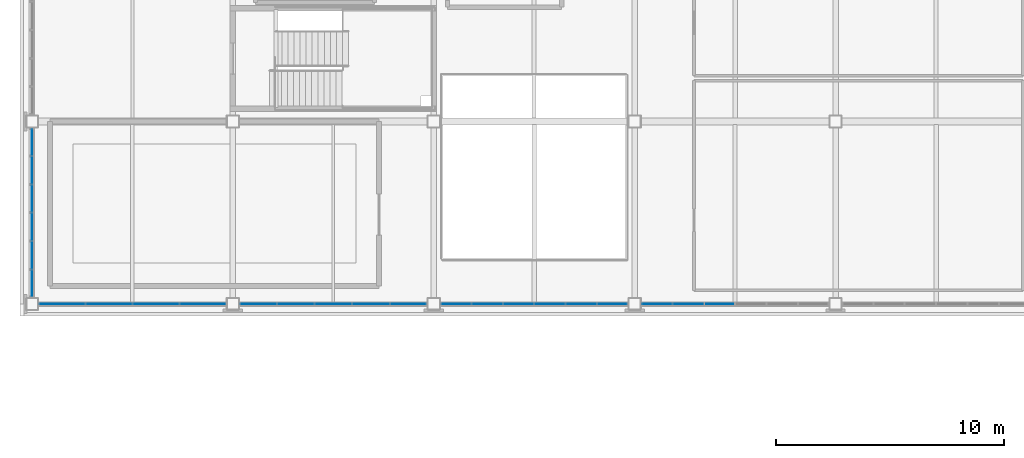
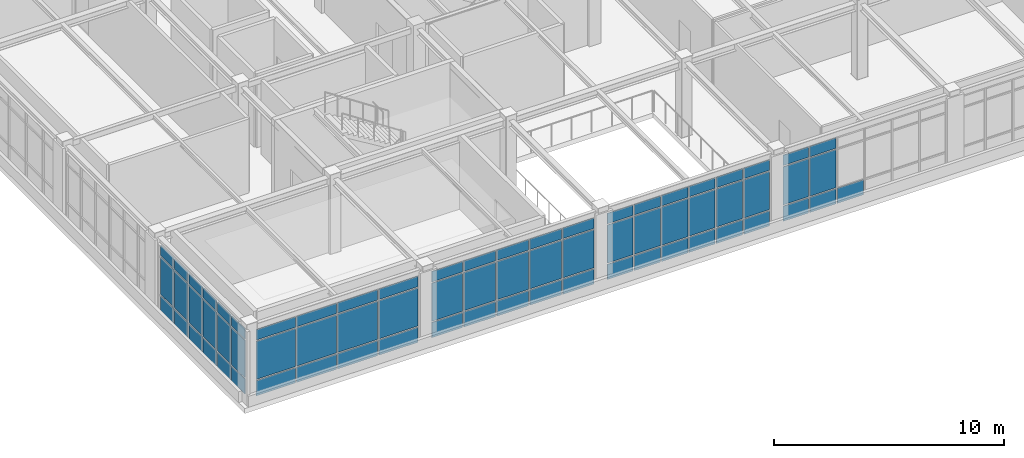
# One storey, part 38 of 88: 70 plates, 5 elements without a shape of their own.
"""IFC4 building model written with IfcOpenShell, lengths in metres."""

from ifc_helpers import new_model, si_unit, direction, frame, origin, origin_2d, place, context, subcontext, project, spatial, rectangle, extrude, material, layer, layer_set, type_object, element, aggregate, save


model = new_model("IFC4")

# Units and contexts
model_context = context("Model", 3, precision=1e-05, world=origin(), true_north=direction((0.0, 1.0)))
body_context = subcontext(model_context, "Body", "Model", "MODEL_VIEW")
ifc_project = project(units=[si_unit("LENGTHUNIT", "METRE"), si_unit("AREAUNIT", "SQUARE_METRE"), si_unit("VOLUMEUNIT", "CUBIC_METRE"), si_unit("PLANEANGLEUNIT", "RADIAN"), si_unit("MASSUNIT", "GRAM", prefix="KILO")], contexts=[model_context])

# Site, building, storey
site_placement = place(None, origin())
site = spatial("IfcSite", under=ifc_project, at=site_placement, CompositionType="ELEMENT")
building_placement = place(site_placement, origin())
building = spatial("IfcBuilding", under=site, at=building_placement, Name="Zhaolan Boulevard Law Courts", CompositionType="ELEMENT")
storey_placement = place(building_placement, frame((0.0, 0.0, 16.199951171875)))
storey = spatial("IfcBuildingStorey", under=building, at=storey_placement, Name="L03", CompositionType="ELEMENT", Elevation=16.199951171875)

# Curtain wall, plates
ifc_material_1 = material(Name="Thermally broken aluminium and low-E glazing", Category="aluminium")
curtain_wall_type_1 = type_object("IfcCurtainWallType", Name="CURTAIN WALL M24", PredefinedType="USERDEFINED", material=ifc_material_1)
curtain_wall_1_placement = place(storey_placement, origin())
curtain_wall_1 = element("IfcCurtainWall", 1, at=curtain_wall_1_placement, inside=storey, type_object=curtain_wall_type_1, Name="Curtain Wall CW-L03-168", ObjectType="CURTAIN WALL", PredefinedType="USERDEFINED")
ifc_material_2 = material(Name="Triple-silver low-E insulated glazing", Category="glass")
ifc_layer = layer(ifc_material_2, 0.028076171875)
ifc_layer_set = layer_set([ifc_layer])
plate_type = type_object("IfcPlateType", Name="CWPANEL LOW E28", PredefinedType="CURTAIN_PANEL", material=ifc_layer_set)
plate_1_placement = place(storey_placement, frame((1.323974609375, 30.0, 0.06494140625), z_axis=(0.0, 0.0, 1.0), x_axis=(1.0, 0.0, 0.0)))
plate_1 = element("IfcPlate", 2, at=plate_1_placement, type_object=plate_type, Name="CW-L03-168 panel 1.1", PredefinedType="CURTAIN_PANEL", context=body_context, shape_type="SweptSolid", body=[
    extrude(rectangle(XDim=1.964111328125, YDim=0.028076171875, at=origin_2d()), origin(), (0.0, 0.0, 1.0), 0.802490234375),
])
plate_2_placement = place(storey_placement, frame((1.323974609375, 30.0, 0.9326171875), z_axis=(0.0, 0.0, 1.0), x_axis=(1.0, 0.0, 0.0)))
plate_2 = element("IfcPlate", 3, at=plate_2_placement, type_object=plate_type, Name="CW-L03-168 panel 1.2", PredefinedType="CURTAIN_PANEL", context=body_context, shape_type="SweptSolid", body=[
    extrude(rectangle(XDim=1.964111328125, YDim=0.028076171875, at=origin_2d()), origin(), (0.0, 0.0, 1.0), 2.01806640625),
])
plate_3_placement = place(storey_placement, frame((1.323974609375, 30.0, 3.015625), z_axis=(0.0, 0.0, 1.0), x_axis=(1.0, 0.0, 0.0)))
plate_3 = element("IfcPlate", 4, at=plate_3_placement, type_object=plate_type, Name="CW-L03-168 panel 1.3", PredefinedType="CURTAIN_PANEL", context=body_context, shape_type="SweptSolid", body=[
    extrude(rectangle(XDim=1.964111328125, YDim=0.028076171875, at=origin_2d()), origin(), (0.0, 0.0, 1.0), 0.552490234375),
])
plate_4_placement = place(storey_placement, frame((3.369140625, 30.0, 0.06494140625), z_axis=(0.0, 0.0, 1.0), x_axis=(1.0, 0.0, 0.0)))
plate_4 = element("IfcPlate", 5, at=plate_4_placement, type_object=plate_type, Name="CW-L03-168 panel 2.1", PredefinedType="CURTAIN_PANEL", context=body_context, shape_type="SweptSolid", body=[
    extrude(rectangle(XDim=1.99658203125, YDim=0.028076171875, at=origin_2d()), origin(), (0.0, 0.0, 1.0), 0.802490234375),
])
plate_5_placement = place(storey_placement, frame((3.369140625, 30.0, 0.9326171875), z_axis=(0.0, 0.0, 1.0), x_axis=(1.0, 0.0, 0.0)))
plate_5 = element("IfcPlate", 6, at=plate_5_placement, type_object=plate_type, Name="CW-L03-168 panel 2.2", PredefinedType="CURTAIN_PANEL", context=body_context, shape_type="SweptSolid", body=[
    extrude(rectangle(XDim=1.99658203125, YDim=0.028076171875, at=origin_2d()), origin(), (0.0, 0.0, 1.0), 2.01806640625),
])
plate_6_placement = place(storey_placement, frame((3.369140625, 30.0, 3.015625), z_axis=(0.0, 0.0, 1.0), x_axis=(1.0, 0.0, 0.0)))
plate_6 = element("IfcPlate", 7, at=plate_6_placement, type_object=plate_type, Name="CW-L03-168 panel 2.3", PredefinedType="CURTAIN_PANEL", context=body_context, shape_type="SweptSolid", body=[
    extrude(rectangle(XDim=1.99658203125, YDim=0.028076171875, at=origin_2d()), origin(), (0.0, 0.0, 1.0), 0.552490234375),
])
plate_7_placement = place(storey_placement, frame((5.4306640625, 30.0, 0.06494140625), z_axis=(0.0, 0.0, 1.0), x_axis=(1.0, 0.0, 0.0)))
plate_7 = element("IfcPlate", 8, at=plate_7_placement, type_object=plate_type, Name="CW-L03-168 panel 3.1", PredefinedType="CURTAIN_PANEL", context=body_context, shape_type="SweptSolid", body=[
    extrude(rectangle(XDim=1.99658203125, YDim=0.028076171875, at=origin_2d()), origin(), (0.0, 0.0, 1.0), 0.802490234375),
])
plate_8_placement = place(storey_placement, frame((5.4306640625, 30.0, 0.9326171875), z_axis=(0.0, 0.0, 1.0), x_axis=(1.0, 0.0, 0.0)))
plate_8 = element("IfcPlate", 9, at=plate_8_placement, type_object=plate_type, Name="CW-L03-168 panel 3.2", PredefinedType="CURTAIN_PANEL", context=body_context, shape_type="SweptSolid", body=[
    extrude(rectangle(XDim=1.99658203125, YDim=0.028076171875, at=origin_2d()), origin(), (0.0, 0.0, 1.0), 2.01806640625),
])
plate_9_placement = place(storey_placement, frame((5.4306640625, 30.0, 3.015625), z_axis=(0.0, 0.0, 1.0), x_axis=(1.0, 0.0, 0.0)))
plate_9 = element("IfcPlate", 10, at=plate_9_placement, type_object=plate_type, Name="CW-L03-168 panel 3.3", PredefinedType="CURTAIN_PANEL", context=body_context, shape_type="SweptSolid", body=[
    extrude(rectangle(XDim=1.99658203125, YDim=0.028076171875, at=origin_2d()), origin(), (0.0, 0.0, 1.0), 0.552490234375),
])
plate_10_placement = place(storey_placement, frame((7.47607421875, 30.0, 0.06494140625), z_axis=(0.0, 0.0, 1.0), x_axis=(1.0, 0.0, 0.0)))
plate_10 = element("IfcPlate", 11, at=plate_10_placement, type_object=plate_type, Name="CW-L03-168 panel 4.1", PredefinedType="CURTAIN_PANEL", context=body_context, shape_type="SweptSolid", body=[
    extrude(rectangle(XDim=1.964111328125, YDim=0.028076171875, at=origin_2d()), origin(), (0.0, 0.0, 1.0), 0.802490234375),
])
plate_11_placement = place(storey_placement, frame((7.47607421875, 30.0, 0.9326171875), z_axis=(0.0, 0.0, 1.0), x_axis=(1.0, 0.0, 0.0)))
plate_11 = element("IfcPlate", 12, at=plate_11_placement, type_object=plate_type, Name="CW-L03-168 panel 4.2", PredefinedType="CURTAIN_PANEL", context=body_context, shape_type="SweptSolid", body=[
    extrude(rectangle(XDim=1.964111328125, YDim=0.028076171875, at=origin_2d()), origin(), (0.0, 0.0, 1.0), 2.01806640625),
])
plate_12_placement = place(storey_placement, frame((7.47607421875, 30.0, 3.015625), z_axis=(0.0, 0.0, 1.0), x_axis=(1.0, 0.0, 0.0)))
plate_12 = element("IfcPlate", 13, at=plate_12_placement, type_object=plate_type, Name="CW-L03-168 panel 4.3", PredefinedType="CURTAIN_PANEL", context=body_context, shape_type="SweptSolid", body=[
    extrude(rectangle(XDim=1.964111328125, YDim=0.028076171875, at=origin_2d()), origin(), (0.0, 0.0, 1.0), 0.552490234375),
])
aggregate(curtain_wall_1, [plate_1, plate_2, plate_3, plate_4, plate_5, plate_6, plate_7, plate_8, plate_9, plate_10, plate_11, plate_12])

ifc_material_3 = material(Name="Thermally broken aluminium and low-E glazing", Category="aluminium")
curtain_wall_type_2 = type_object("IfcCurtainWallType", Name="CURTAIN WALL M1", PredefinedType="USERDEFINED", material=ifc_material_3)
curtain_wall_2_placement = place(storey_placement, origin())
curtain_wall_2 = element("IfcCurtainWall", 14, at=curtain_wall_2_placement, inside=storey, type_object=curtain_wall_type_2, Name="Curtain Wall CW-L03-169", ObjectType="CURTAIN WALL", PredefinedType="USERDEFINED")
plate_13_placement = place(storey_placement, frame((9.91796875, 30.0, 0.06494140625), z_axis=(0.0, 0.0, 1.0), x_axis=(1.0, 0.0, 0.0)))
plate_13 = element("IfcPlate", 15, at=plate_13_placement, type_object=plate_type, Name="CW-L03-169 panel 1.1", PredefinedType="CURTAIN_PANEL", context=body_context, shape_type="SweptSolid", body=[
    extrude(rectangle(XDim=1.5517578125, YDim=0.028076171875, at=origin_2d()), origin(), (0.0, 0.0, 1.0), 0.802490234375),
])
plate_14_placement = place(storey_placement, frame((9.91796875, 30.0, 0.9326171875), z_axis=(0.0, 0.0, 1.0), x_axis=(1.0, 0.0, 0.0)))
plate_14 = element("IfcPlate", 16, at=plate_14_placement, type_object=plate_type, Name="CW-L03-169 panel 1.2", PredefinedType="CURTAIN_PANEL", context=body_context, shape_type="SweptSolid", body=[
    extrude(rectangle(XDim=1.5517578125, YDim=0.028076171875, at=origin_2d()), origin(), (0.0, 0.0, 1.0), 2.01806640625),
])
plate_15_placement = place(storey_placement, frame((9.91796875, 30.0, 3.015625), z_axis=(0.0, 0.0, 1.0), x_axis=(1.0, 0.0, 0.0)))
plate_15 = element("IfcPlate", 17, at=plate_15_placement, type_object=plate_type, Name="CW-L03-169 panel 1.3", PredefinedType="CURTAIN_PANEL", context=body_context, shape_type="SweptSolid", body=[
    extrude(rectangle(XDim=1.5517578125, YDim=0.028076171875, at=origin_2d()), origin(), (0.0, 0.0, 1.0), 0.552490234375),
])
plate_16_placement = place(storey_placement, frame((11.55078125, 30.0, 0.06494140625), z_axis=(0.0, 0.0, 1.0), x_axis=(1.0, 0.0, 0.0)))
plate_16 = element("IfcPlate", 18, at=plate_16_placement, type_object=plate_type, Name="CW-L03-169 panel 2.1", PredefinedType="CURTAIN_PANEL", context=body_context, shape_type="SweptSolid", body=[
    extrude(rectangle(XDim=1.584228515625, YDim=0.028076171875, at=origin_2d()), origin(), (0.0, 0.0, 1.0), 0.802490234375),
])
plate_17_placement = place(storey_placement, frame((11.55078125, 30.0, 0.9326171875), z_axis=(0.0, 0.0, 1.0), x_axis=(1.0, 0.0, 0.0)))
plate_17 = element("IfcPlate", 19, at=plate_17_placement, type_object=plate_type, Name="CW-L03-169 panel 2.2", PredefinedType="CURTAIN_PANEL", context=body_context, shape_type="SweptSolid", body=[
    extrude(rectangle(XDim=1.584228515625, YDim=0.028076171875, at=origin_2d()), origin(), (0.0, 0.0, 1.0), 2.01806640625),
])
plate_18_placement = place(storey_placement, frame((11.55078125, 30.0, 3.015625), z_axis=(0.0, 0.0, 1.0), x_axis=(1.0, 0.0, 0.0)))
plate_18 = element("IfcPlate", 20, at=plate_18_placement, type_object=plate_type, Name="CW-L03-169 panel 2.3", PredefinedType="CURTAIN_PANEL", context=body_context, shape_type="SweptSolid", body=[
    extrude(rectangle(XDim=1.584228515625, YDim=0.028076171875, at=origin_2d()), origin(), (0.0, 0.0, 1.0), 0.552490234375),
])
plate_19_placement = place(storey_placement, frame((13.199951171875, 30.0, 0.06494140625), z_axis=(0.0, 0.0, 1.0), x_axis=(1.0, 0.0, 0.0)))
plate_19 = element("IfcPlate", 21, at=plate_19_placement, type_object=plate_type, Name="CW-L03-169 panel 3.1", PredefinedType="CURTAIN_PANEL", context=body_context, shape_type="SweptSolid", body=[
    extrude(rectangle(XDim=1.584228515625, YDim=0.028076171875, at=origin_2d()), origin(), (0.0, 0.0, 1.0), 0.802490234375),
])
plate_20_placement = place(storey_placement, frame((13.199951171875, 30.0, 0.9326171875), z_axis=(0.0, 0.0, 1.0), x_axis=(1.0, 0.0, 0.0)))
plate_20 = element("IfcPlate", 22, at=plate_20_placement, type_object=plate_type, Name="CW-L03-169 panel 3.2", PredefinedType="CURTAIN_PANEL", context=body_context, shape_type="SweptSolid", body=[
    extrude(rectangle(XDim=1.584228515625, YDim=0.028076171875, at=origin_2d()), origin(), (0.0, 0.0, 1.0), 2.01806640625),
])
plate_21_placement = place(storey_placement, frame((13.199951171875, 30.0, 3.015625), z_axis=(0.0, 0.0, 1.0), x_axis=(1.0, 0.0, 0.0)))
plate_21 = element("IfcPlate", 23, at=plate_21_placement, type_object=plate_type, Name="CW-L03-169 panel 3.3", PredefinedType="CURTAIN_PANEL", context=body_context, shape_type="SweptSolid", body=[
    extrude(rectangle(XDim=1.584228515625, YDim=0.028076171875, at=origin_2d()), origin(), (0.0, 0.0, 1.0), 0.552490234375),
])
plate_22_placement = place(storey_placement, frame((14.84912109375, 30.0, 0.06494140625), z_axis=(0.0, 0.0, 1.0), x_axis=(1.0, 0.0, 0.0)))
plate_22 = element("IfcPlate", 24, at=plate_22_placement, type_object=plate_type, Name="CW-L03-169 panel 4.1", PredefinedType="CURTAIN_PANEL", context=body_context, shape_type="SweptSolid", body=[
    extrude(rectangle(XDim=1.584228515625, YDim=0.028076171875, at=origin_2d()), origin(), (0.0, 0.0, 1.0), 0.802490234375),
])
plate_23_placement = place(storey_placement, frame((14.84912109375, 30.0, 0.9326171875), z_axis=(0.0, 0.0, 1.0), x_axis=(1.0, 0.0, 0.0)))
plate_23 = element("IfcPlate", 25, at=plate_23_placement, type_object=plate_type, Name="CW-L03-169 panel 4.2", PredefinedType="CURTAIN_PANEL", context=body_context, shape_type="SweptSolid", body=[
    extrude(rectangle(XDim=1.584228515625, YDim=0.028076171875, at=origin_2d()), origin(), (0.0, 0.0, 1.0), 2.01806640625),
])
plate_24_placement = place(storey_placement, frame((14.84912109375, 30.0, 3.015625), z_axis=(0.0, 0.0, 1.0), x_axis=(1.0, 0.0, 0.0)))
plate_24 = element("IfcPlate", 26, at=plate_24_placement, type_object=plate_type, Name="CW-L03-169 panel 4.3", PredefinedType="CURTAIN_PANEL", context=body_context, shape_type="SweptSolid", body=[
    extrude(rectangle(XDim=1.584228515625, YDim=0.028076171875, at=origin_2d()), origin(), (0.0, 0.0, 1.0), 0.552490234375),
])
plate_25_placement = place(storey_placement, frame((16.482177734375, 30.0, 0.06494140625), z_axis=(0.0, 0.0, 1.0), x_axis=(1.0, 0.0, 0.0)))
plate_25 = element("IfcPlate", 27, at=plate_25_placement, type_object=plate_type, Name="CW-L03-169 panel 5.1", PredefinedType="CURTAIN_PANEL", context=body_context, shape_type="SweptSolid", body=[
    extrude(rectangle(XDim=1.5517578125, YDim=0.028076171875, at=origin_2d()), origin(), (0.0, 0.0, 1.0), 0.802490234375),
])
plate_26_placement = place(storey_placement, frame((16.482177734375, 30.0, 0.9326171875), z_axis=(0.0, 0.0, 1.0), x_axis=(1.0, 0.0, 0.0)))
plate_26 = element("IfcPlate", 28, at=plate_26_placement, type_object=plate_type, Name="CW-L03-169 panel 5.2", PredefinedType="CURTAIN_PANEL", context=body_context, shape_type="SweptSolid", body=[
    extrude(rectangle(XDim=1.5517578125, YDim=0.028076171875, at=origin_2d()), origin(), (0.0, 0.0, 1.0), 2.01806640625),
])
plate_27_placement = place(storey_placement, frame((16.482177734375, 30.0, 3.015625), z_axis=(0.0, 0.0, 1.0), x_axis=(1.0, 0.0, 0.0)))
plate_27 = element("IfcPlate", 29, at=plate_27_placement, type_object=plate_type, Name="CW-L03-169 panel 5.3", PredefinedType="CURTAIN_PANEL", context=body_context, shape_type="SweptSolid", body=[
    extrude(rectangle(XDim=1.5517578125, YDim=0.028076171875, at=origin_2d()), origin(), (0.0, 0.0, 1.0), 0.552490234375),
])
aggregate(curtain_wall_2, [plate_13, plate_14, plate_15, plate_16, plate_17, plate_18, plate_19, plate_20, plate_21, plate_22, plate_23, plate_24, plate_25, plate_26, plate_27])

ifc_material_4 = material(Name="Thermally broken aluminium and low-E glazing", Category="aluminium")
curtain_wall_type_3 = type_object("IfcCurtainWallType", Name="CURTAIN WALL M2", PredefinedType="USERDEFINED", material=ifc_material_4)
curtain_wall_3_placement = place(storey_placement, origin())
curtain_wall_3 = element("IfcCurtainWall", 30, at=curtain_wall_3_placement, inside=storey, type_object=curtain_wall_type_3, Name="Curtain Wall CW-L03-170", ObjectType="CURTAIN WALL", PredefinedType="USERDEFINED")
plate_28_placement = place(storey_placement, frame((18.580322265625, 30.0, 0.06494140625), z_axis=(0.0, 0.0, 1.0), x_axis=(1.0, 0.0, 0.0)))
plate_28 = element("IfcPlate", 31, at=plate_28_placement, type_object=plate_type, Name="CW-L03-170 panel 1.1", PredefinedType="CURTAIN_PANEL", context=body_context, shape_type="SweptSolid", body=[
    extrude(rectangle(XDim=1.27685546875, YDim=0.028076171875, at=origin_2d()), origin(), (0.0, 0.0, 1.0), 0.802490234375),
])
plate_29_placement = place(storey_placement, frame((18.580322265625, 30.0, 0.9326171875), z_axis=(0.0, 0.0, 1.0), x_axis=(1.0, 0.0, 0.0)))
plate_29 = element("IfcPlate", 32, at=plate_29_placement, type_object=plate_type, Name="CW-L03-170 panel 1.2", PredefinedType="CURTAIN_PANEL", context=body_context, shape_type="SweptSolid", body=[
    extrude(rectangle(XDim=1.27685546875, YDim=0.028076171875, at=origin_2d()), origin(), (0.0, 0.0, 1.0), 2.01806640625),
])
plate_30_placement = place(storey_placement, frame((18.580322265625, 30.0, 3.015625), z_axis=(0.0, 0.0, 1.0), x_axis=(1.0, 0.0, 0.0)))
plate_30 = element("IfcPlate", 33, at=plate_30_placement, type_object=plate_type, Name="CW-L03-170 panel 1.3", PredefinedType="CURTAIN_PANEL", context=body_context, shape_type="SweptSolid", body=[
    extrude(rectangle(XDim=1.27685546875, YDim=0.028076171875, at=origin_2d()), origin(), (0.0, 0.0, 1.0), 0.552490234375),
])
plate_31_placement = place(storey_placement, frame((19.9384765625, 30.0, 0.06494140625), z_axis=(0.0, 0.0, 1.0), x_axis=(1.0, 0.0, 0.0)))
plate_31 = element("IfcPlate", 34, at=plate_31_placement, type_object=plate_type, Name="CW-L03-170 panel 2.1", PredefinedType="CURTAIN_PANEL", context=body_context, shape_type="SweptSolid", body=[
    extrude(rectangle(XDim=1.309326171875, YDim=0.028076171875, at=origin_2d()), origin(), (0.0, 0.0, 1.0), 0.802490234375),
])
plate_32_placement = place(storey_placement, frame((19.9384765625, 30.0, 0.9326171875), z_axis=(0.0, 0.0, 1.0), x_axis=(1.0, 0.0, 0.0)))
plate_32 = element("IfcPlate", 35, at=plate_32_placement, type_object=plate_type, Name="CW-L03-170 panel 2.2", PredefinedType="CURTAIN_PANEL", context=body_context, shape_type="SweptSolid", body=[
    extrude(rectangle(XDim=1.309326171875, YDim=0.028076171875, at=origin_2d()), origin(), (0.0, 0.0, 1.0), 2.01806640625),
])
plate_33_placement = place(storey_placement, frame((19.9384765625, 30.0, 3.015625), z_axis=(0.0, 0.0, 1.0), x_axis=(1.0, 0.0, 0.0)))
plate_33 = element("IfcPlate", 36, at=plate_33_placement, type_object=plate_type, Name="CW-L03-170 panel 2.3", PredefinedType="CURTAIN_PANEL", context=body_context, shape_type="SweptSolid", body=[
    extrude(rectangle(XDim=1.309326171875, YDim=0.028076171875, at=origin_2d()), origin(), (0.0, 0.0, 1.0), 0.552490234375),
])
plate_34_placement = place(storey_placement, frame((21.312744140625, 30.0, 0.06494140625), z_axis=(0.0, 0.0, 1.0), x_axis=(1.0, 0.0, 0.0)))
plate_34 = element("IfcPlate", 37, at=plate_34_placement, type_object=plate_type, Name="CW-L03-170 panel 3.1", PredefinedType="CURTAIN_PANEL", context=body_context, shape_type="SweptSolid", body=[
    extrude(rectangle(XDim=1.309326171875, YDim=0.028076171875, at=origin_2d()), origin(), (0.0, 0.0, 1.0), 0.802490234375),
])
plate_35_placement = place(storey_placement, frame((21.312744140625, 30.0, 0.9326171875), z_axis=(0.0, 0.0, 1.0), x_axis=(1.0, 0.0, 0.0)))
plate_35 = element("IfcPlate", 38, at=plate_35_placement, type_object=plate_type, Name="CW-L03-170 panel 3.2", PredefinedType="CURTAIN_PANEL", context=body_context, shape_type="SweptSolid", body=[
    extrude(rectangle(XDim=1.309326171875, YDim=0.028076171875, at=origin_2d()), origin(), (0.0, 0.0, 1.0), 2.01806640625),
])
plate_36_placement = place(storey_placement, frame((21.312744140625, 30.0, 3.015625), z_axis=(0.0, 0.0, 1.0), x_axis=(1.0, 0.0, 0.0)))
plate_36 = element("IfcPlate", 39, at=plate_36_placement, type_object=plate_type, Name="CW-L03-170 panel 3.3", PredefinedType="CURTAIN_PANEL", context=body_context, shape_type="SweptSolid", body=[
    extrude(rectangle(XDim=1.309326171875, YDim=0.028076171875, at=origin_2d()), origin(), (0.0, 0.0, 1.0), 0.552490234375),
])
plate_37_placement = place(storey_placement, frame((22.687255859375, 30.0, 0.06494140625), z_axis=(0.0, 0.0, 1.0), x_axis=(1.0, 0.0, 0.0)))
plate_37 = element("IfcPlate", 40, at=plate_37_placement, type_object=plate_type, Name="CW-L03-170 panel 4.1", PredefinedType="CURTAIN_PANEL", context=body_context, shape_type="SweptSolid", body=[
    extrude(rectangle(XDim=1.309326171875, YDim=0.028076171875, at=origin_2d()), origin(), (0.0, 0.0, 1.0), 0.802490234375),
])
plate_38_placement = place(storey_placement, frame((22.687255859375, 30.0, 0.9326171875), z_axis=(0.0, 0.0, 1.0), x_axis=(1.0, 0.0, 0.0)))
plate_38 = element("IfcPlate", 41, at=plate_38_placement, type_object=plate_type, Name="CW-L03-170 panel 4.2", PredefinedType="CURTAIN_PANEL", context=body_context, shape_type="SweptSolid", body=[
    extrude(rectangle(XDim=1.309326171875, YDim=0.028076171875, at=origin_2d()), origin(), (0.0, 0.0, 1.0), 2.01806640625),
])
plate_39_placement = place(storey_placement, frame((22.687255859375, 30.0, 3.015625), z_axis=(0.0, 0.0, 1.0), x_axis=(1.0, 0.0, 0.0)))
plate_39 = element("IfcPlate", 42, at=plate_39_placement, type_object=plate_type, Name="CW-L03-170 panel 4.3", PredefinedType="CURTAIN_PANEL", context=body_context, shape_type="SweptSolid", body=[
    extrude(rectangle(XDim=1.309326171875, YDim=0.028076171875, at=origin_2d()), origin(), (0.0, 0.0, 1.0), 0.552490234375),
])
plate_40_placement = place(storey_placement, frame((24.0615234375, 30.0, 0.06494140625), z_axis=(0.0, 0.0, 1.0), x_axis=(1.0, 0.0, 0.0)))
plate_40 = element("IfcPlate", 43, at=plate_40_placement, type_object=plate_type, Name="CW-L03-170 panel 5.1", PredefinedType="CURTAIN_PANEL", context=body_context, shape_type="SweptSolid", body=[
    extrude(rectangle(XDim=1.309326171875, YDim=0.028076171875, at=origin_2d()), origin(), (0.0, 0.0, 1.0), 0.802490234375),
])
plate_41_placement = place(storey_placement, frame((24.0615234375, 30.0, 0.9326171875), z_axis=(0.0, 0.0, 1.0), x_axis=(1.0, 0.0, 0.0)))
plate_41 = element("IfcPlate", 44, at=plate_41_placement, type_object=plate_type, Name="CW-L03-170 panel 5.2", PredefinedType="CURTAIN_PANEL", context=body_context, shape_type="SweptSolid", body=[
    extrude(rectangle(XDim=1.309326171875, YDim=0.028076171875, at=origin_2d()), origin(), (0.0, 0.0, 1.0), 2.01806640625),
])
plate_42_placement = place(storey_placement, frame((24.0615234375, 30.0, 3.015625), z_axis=(0.0, 0.0, 1.0), x_axis=(1.0, 0.0, 0.0)))
plate_42 = element("IfcPlate", 45, at=plate_42_placement, type_object=plate_type, Name="CW-L03-170 panel 5.3", PredefinedType="CURTAIN_PANEL", context=body_context, shape_type="SweptSolid", body=[
    extrude(rectangle(XDim=1.309326171875, YDim=0.028076171875, at=origin_2d()), origin(), (0.0, 0.0, 1.0), 0.552490234375),
])
plate_43_placement = place(storey_placement, frame((25.419677734375, 30.0, 0.06494140625), z_axis=(0.0, 0.0, 1.0), x_axis=(1.0, 0.0, 0.0)))
plate_43 = element("IfcPlate", 46, at=plate_43_placement, type_object=plate_type, Name="CW-L03-170 panel 6.1", PredefinedType="CURTAIN_PANEL", context=body_context, shape_type="SweptSolid", body=[
    extrude(rectangle(XDim=1.27685546875, YDim=0.028076171875, at=origin_2d()), origin(), (0.0, 0.0, 1.0), 0.802490234375),
])
plate_44_placement = place(storey_placement, frame((25.419677734375, 30.0, 0.9326171875), z_axis=(0.0, 0.0, 1.0), x_axis=(1.0, 0.0, 0.0)))
plate_44 = element("IfcPlate", 47, at=plate_44_placement, type_object=plate_type, Name="CW-L03-170 panel 6.2", PredefinedType="CURTAIN_PANEL", context=body_context, shape_type="SweptSolid", body=[
    extrude(rectangle(XDim=1.27685546875, YDim=0.028076171875, at=origin_2d()), origin(), (0.0, 0.0, 1.0), 2.01806640625),
])
plate_45_placement = place(storey_placement, frame((25.419677734375, 30.0, 3.015625), z_axis=(0.0, 0.0, 1.0), x_axis=(1.0, 0.0, 0.0)))
plate_45 = element("IfcPlate", 48, at=plate_45_placement, type_object=plate_type, Name="CW-L03-170 panel 6.3", PredefinedType="CURTAIN_PANEL", context=body_context, shape_type="SweptSolid", body=[
    extrude(rectangle(XDim=1.27685546875, YDim=0.028076171875, at=origin_2d()), origin(), (0.0, 0.0, 1.0), 0.552490234375),
])
aggregate(curtain_wall_3, [plate_28, plate_29, plate_30, plate_31, plate_32, plate_33, plate_34, plate_35, plate_36, plate_37, plate_38, plate_39, plate_40, plate_41, plate_42, plate_43, plate_44, plate_45])

ifc_material_5 = material(Name="Thermally broken aluminium and low-E glazing", Category="aluminium")
curtain_wall_type_4 = type_object("IfcCurtainWallType", Name="CURTAIN WALL M3", PredefinedType="USERDEFINED", material=ifc_material_5)
curtain_wall_4_placement = place(storey_placement, origin())
curtain_wall_4 = element("IfcCurtainWall", 49, at=curtain_wall_4_placement, inside=storey, type_object=curtain_wall_type_4, Name="Curtain Wall CW-L03-171", ObjectType="CURTAIN WALL", PredefinedType="USERDEFINED")
plate_46_placement = place(storey_placement, frame((27.38037109375, 30.0, 0.06494140625), z_axis=(0.0, 0.0, 1.0), x_axis=(1.0, 0.0, 0.0)))
plate_46 = element("IfcPlate", 50, at=plate_46_placement, type_object=plate_type, Name="CW-L03-171 panel 1.1", PredefinedType="CURTAIN_PANEL", context=body_context, shape_type="SweptSolid", body=[
    extrude(rectangle(XDim=1.27685546875, YDim=0.028076171875, at=origin_2d()), origin(), (0.0, 0.0, 1.0), 0.802490234375),
])
plate_47_placement = place(storey_placement, frame((27.38037109375, 30.0, 0.9326171875), z_axis=(0.0, 0.0, 1.0), x_axis=(1.0, 0.0, 0.0)))
plate_47 = element("IfcPlate", 51, at=plate_47_placement, type_object=plate_type, Name="CW-L03-171 panel 1.2", PredefinedType="CURTAIN_PANEL", context=body_context, shape_type="SweptSolid", body=[
    extrude(rectangle(XDim=1.27685546875, YDim=0.028076171875, at=origin_2d()), origin(), (0.0, 0.0, 1.0), 2.01806640625),
])
plate_48_placement = place(storey_placement, frame((27.38037109375, 30.0, 3.015625), z_axis=(0.0, 0.0, 1.0), x_axis=(1.0, 0.0, 0.0)))
plate_48 = element("IfcPlate", 52, at=plate_48_placement, type_object=plate_type, Name="CW-L03-171 panel 1.3", PredefinedType="CURTAIN_PANEL", context=body_context, shape_type="SweptSolid", body=[
    extrude(rectangle(XDim=1.27685546875, YDim=0.028076171875, at=origin_2d()), origin(), (0.0, 0.0, 1.0), 0.552490234375),
])
plate_49_placement = place(storey_placement, frame((28.738525390625, 30.0, 0.06494140625), z_axis=(0.0, 0.0, 1.0), x_axis=(1.0, 0.0, 0.0)))
plate_49 = element("IfcPlate", 53, at=plate_49_placement, type_object=plate_type, Name="CW-L03-171 panel 2.1", PredefinedType="CURTAIN_PANEL", context=body_context, shape_type="SweptSolid", body=[
    extrude(rectangle(XDim=1.309326171875, YDim=0.028076171875, at=origin_2d()), origin(), (0.0, 0.0, 1.0), 0.802490234375),
])
plate_50_placement = place(storey_placement, frame((28.738525390625, 30.0, 0.9326171875), z_axis=(0.0, 0.0, 1.0), x_axis=(1.0, 0.0, 0.0)))
plate_50 = element("IfcPlate", 54, at=plate_50_placement, type_object=plate_type, Name="CW-L03-171 panel 2.2", PredefinedType="CURTAIN_PANEL", context=body_context, shape_type="SweptSolid", body=[
    extrude(rectangle(XDim=1.309326171875, YDim=0.028076171875, at=origin_2d()), origin(), (0.0, 0.0, 1.0), 2.01806640625),
])
plate_51_placement = place(storey_placement, frame((28.738525390625, 30.0, 3.015625), z_axis=(0.0, 0.0, 1.0), x_axis=(1.0, 0.0, 0.0)))
plate_51 = element("IfcPlate", 55, at=plate_51_placement, type_object=plate_type, Name="CW-L03-171 panel 2.3", PredefinedType="CURTAIN_PANEL", context=body_context, shape_type="SweptSolid", body=[
    extrude(rectangle(XDim=1.309326171875, YDim=0.028076171875, at=origin_2d()), origin(), (0.0, 0.0, 1.0), 0.552490234375),
])
plate_52_placement = place(storey_placement, frame((30.11279296875, 30.0, 0.06494140625), z_axis=(0.0, 0.0, 1.0), x_axis=(1.0, 0.0, 0.0)))
plate_52 = element("IfcPlate", 56, at=plate_52_placement, type_object=plate_type, Name="CW-L03-171 panel 3.1", PredefinedType="CURTAIN_PANEL", context=body_context, shape_type="SweptSolid", body=[
    extrude(rectangle(XDim=1.309326171875, YDim=0.028076171875, at=origin_2d()), origin(), (0.0, 0.0, 1.0), 0.802490234375),
])
aggregate(curtain_wall_4, [plate_46, plate_47, plate_48, plate_49, plate_50, plate_51, plate_52])

ifc_material_6 = material(Name="Thermally broken aluminium and low-E glazing", Category="aluminium")
curtain_wall_type_5 = type_object("IfcCurtainWallType", Name="CURTAIN WALL M5", PredefinedType="USERDEFINED", material=ifc_material_6)
curtain_wall_5_placement = place(storey_placement, origin())
curtain_wall_5 = element("IfcCurtainWall", 57, at=curtain_wall_5_placement, inside=storey, type_object=curtain_wall_type_5, Name="Curtain Wall CW-L03-173", ObjectType="CURTAIN WALL", PredefinedType="USERDEFINED")
plate_53_placement = place(storey_placement, frame((0.0, 37.086181640625, 0.06494140625), z_axis=(0.0, 0.0, 1.0), x_axis=(0.0, -1.0, 0.0)))
plate_53 = element("IfcPlate", 58, at=plate_53_placement, type_object=plate_type, Name="CW-L03-173 panel 1.1", PredefinedType="CURTAIN_PANEL", context=body_context, shape_type="SweptSolid", body=[
    extrude(rectangle(XDim=1.1435546875, YDim=0.028076171875, at=origin_2d()), origin(), (0.0, 0.0, 1.0), 0.802490234375),
])
plate_54_placement = place(storey_placement, frame((0.0, 37.086181640625, 0.9326171875), z_axis=(0.0, 0.0, 1.0), x_axis=(0.0, -1.0, 0.0)))
plate_54 = element("IfcPlate", 59, at=plate_54_placement, type_object=plate_type, Name="CW-L03-173 panel 1.2", PredefinedType="CURTAIN_PANEL", context=body_context, shape_type="SweptSolid", body=[
    extrude(rectangle(XDim=1.1435546875, YDim=0.028076171875, at=origin_2d()), origin(), (0.0, 0.0, 1.0), 1.97802734375),
])
plate_55_placement = place(storey_placement, frame((0.0, 37.086181640625, 2.9755859375), z_axis=(0.0, 0.0, 1.0), x_axis=(0.0, -1.0, 0.0)))
plate_55 = element("IfcPlate", 60, at=plate_55_placement, type_object=plate_type, Name="CW-L03-173 panel 1.3", PredefinedType="CURTAIN_PANEL", context=body_context, shape_type="SweptSolid", body=[
    extrude(rectangle(XDim=1.1435546875, YDim=0.028076171875, at=origin_2d()), origin(), (0.0, 0.0, 1.0), 0.552490234375),
])
plate_56_placement = place(storey_placement, frame((0.0, 35.861572265625, 0.06494140625), z_axis=(0.0, 0.0, 1.0), x_axis=(0.0, -1.0, 0.0)))
plate_56 = element("IfcPlate", 61, at=plate_56_placement, type_object=plate_type, Name="CW-L03-173 panel 2.1", PredefinedType="CURTAIN_PANEL", context=body_context, shape_type="SweptSolid", body=[
    extrude(rectangle(XDim=1.176025390625, YDim=0.028076171875, at=origin_2d()), origin(), (0.0, 0.0, 1.0), 0.802490234375),
])
plate_57_placement = place(storey_placement, frame((0.0, 35.861572265625, 0.9326171875), z_axis=(0.0, 0.0, 1.0), x_axis=(0.0, -1.0, 0.0)))
plate_57 = element("IfcPlate", 62, at=plate_57_placement, type_object=plate_type, Name="CW-L03-173 panel 2.2", PredefinedType="CURTAIN_PANEL", context=body_context, shape_type="SweptSolid", body=[
    extrude(rectangle(XDim=1.176025390625, YDim=0.028076171875, at=origin_2d()), origin(), (0.0, 0.0, 1.0), 1.97802734375),
])
plate_58_placement = place(storey_placement, frame((0.0, 35.861572265625, 2.9755859375), z_axis=(0.0, 0.0, 1.0), x_axis=(0.0, -1.0, 0.0)))
plate_58 = element("IfcPlate", 63, at=plate_58_placement, type_object=plate_type, Name="CW-L03-173 panel 2.3", PredefinedType="CURTAIN_PANEL", context=body_context, shape_type="SweptSolid", body=[
    extrude(rectangle(XDim=1.176025390625, YDim=0.028076171875, at=origin_2d()), origin(), (0.0, 0.0, 1.0), 0.552490234375),
])
plate_59_placement = place(storey_placement, frame((0.0, 34.62060546875, 0.06494140625), z_axis=(0.0, 0.0, 1.0), x_axis=(0.0, -1.0, 0.0)))
plate_59 = element("IfcPlate", 64, at=plate_59_placement, type_object=plate_type, Name="CW-L03-173 panel 3.1", PredefinedType="CURTAIN_PANEL", context=body_context, shape_type="SweptSolid", body=[
    extrude(rectangle(XDim=1.176025390625, YDim=0.028076171875, at=origin_2d()), origin(), (0.0, 0.0, 1.0), 0.802490234375),
])
plate_60_placement = place(storey_placement, frame((0.0, 34.62060546875, 0.9326171875), z_axis=(0.0, 0.0, 1.0), x_axis=(0.0, -1.0, 0.0)))
plate_60 = element("IfcPlate", 65, at=plate_60_placement, type_object=plate_type, Name="CW-L03-173 panel 3.2", PredefinedType="CURTAIN_PANEL", context=body_context, shape_type="SweptSolid", body=[
    extrude(rectangle(XDim=1.176025390625, YDim=0.028076171875, at=origin_2d()), origin(), (0.0, 0.0, 1.0), 1.97802734375),
])
plate_61_placement = place(storey_placement, frame((0.0, 34.62060546875, 2.9755859375), z_axis=(0.0, 0.0, 1.0), x_axis=(0.0, -1.0, 0.0)))
plate_61 = element("IfcPlate", 66, at=plate_61_placement, type_object=plate_type, Name="CW-L03-173 panel 3.3", PredefinedType="CURTAIN_PANEL", context=body_context, shape_type="SweptSolid", body=[
    extrude(rectangle(XDim=1.176025390625, YDim=0.028076171875, at=origin_2d()), origin(), (0.0, 0.0, 1.0), 0.552490234375),
])
plate_62_placement = place(storey_placement, frame((0.0, 33.37939453125, 0.06494140625), z_axis=(0.0, 0.0, 1.0), x_axis=(0.0, -1.0, 0.0)))
plate_62 = element("IfcPlate", 67, at=plate_62_placement, type_object=plate_type, Name="CW-L03-173 panel 4.1", PredefinedType="CURTAIN_PANEL", context=body_context, shape_type="SweptSolid", body=[
    extrude(rectangle(XDim=1.176025390625, YDim=0.028076171875, at=origin_2d()), origin(), (0.0, 0.0, 1.0), 0.802490234375),
])
plate_63_placement = place(storey_placement, frame((0.0, 33.37939453125, 0.9326171875), z_axis=(0.0, 0.0, 1.0), x_axis=(0.0, -1.0, 0.0)))
plate_63 = element("IfcPlate", 68, at=plate_63_placement, type_object=plate_type, Name="CW-L03-173 panel 4.2", PredefinedType="CURTAIN_PANEL", context=body_context, shape_type="SweptSolid", body=[
    extrude(rectangle(XDim=1.176025390625, YDim=0.028076171875, at=origin_2d()), origin(), (0.0, 0.0, 1.0), 1.97802734375),
])
plate_64_placement = place(storey_placement, frame((0.0, 33.37939453125, 2.9755859375), z_axis=(0.0, 0.0, 1.0), x_axis=(0.0, -1.0, 0.0)))
plate_64 = element("IfcPlate", 69, at=plate_64_placement, type_object=plate_type, Name="CW-L03-173 panel 4.3", PredefinedType="CURTAIN_PANEL", context=body_context, shape_type="SweptSolid", body=[
    extrude(rectangle(XDim=1.176025390625, YDim=0.028076171875, at=origin_2d()), origin(), (0.0, 0.0, 1.0), 0.552490234375),
])
plate_65_placement = place(storey_placement, frame((0.0, 32.138427734375, 0.06494140625), z_axis=(0.0, 0.0, 1.0), x_axis=(0.0, -1.0, 0.0)))
plate_65 = element("IfcPlate", 70, at=plate_65_placement, type_object=plate_type, Name="CW-L03-173 panel 5.1", PredefinedType="CURTAIN_PANEL", context=body_context, shape_type="SweptSolid", body=[
    extrude(rectangle(XDim=1.176025390625, YDim=0.028076171875, at=origin_2d()), origin(), (0.0, 0.0, 1.0), 0.802490234375),
])
plate_66_placement = place(storey_placement, frame((0.0, 32.138427734375, 0.9326171875), z_axis=(0.0, 0.0, 1.0), x_axis=(0.0, -1.0, 0.0)))
plate_66 = element("IfcPlate", 71, at=plate_66_placement, type_object=plate_type, Name="CW-L03-173 panel 5.2", PredefinedType="CURTAIN_PANEL", context=body_context, shape_type="SweptSolid", body=[
    extrude(rectangle(XDim=1.176025390625, YDim=0.028076171875, at=origin_2d()), origin(), (0.0, 0.0, 1.0), 1.97802734375),
])
plate_67_placement = place(storey_placement, frame((0.0, 32.138427734375, 2.9755859375), z_axis=(0.0, 0.0, 1.0), x_axis=(0.0, -1.0, 0.0)))
plate_67 = element("IfcPlate", 72, at=plate_67_placement, type_object=plate_type, Name="CW-L03-173 panel 5.3", PredefinedType="CURTAIN_PANEL", context=body_context, shape_type="SweptSolid", body=[
    extrude(rectangle(XDim=1.176025390625, YDim=0.028076171875, at=origin_2d()), origin(), (0.0, 0.0, 1.0), 0.552490234375),
])
plate_68_placement = place(storey_placement, frame((0.0, 30.913818359375, 0.06494140625), z_axis=(0.0, 0.0, 1.0), x_axis=(0.0, -1.0, 0.0)))
plate_68 = element("IfcPlate", 73, at=plate_68_placement, type_object=plate_type, Name="CW-L03-173 panel 6.1", PredefinedType="CURTAIN_PANEL", context=body_context, shape_type="SweptSolid", body=[
    extrude(rectangle(XDim=1.1435546875, YDim=0.028076171875, at=origin_2d()), origin(), (0.0, 0.0, 1.0), 0.802490234375),
])
plate_69_placement = place(storey_placement, frame((0.0, 30.913818359375, 0.9326171875), z_axis=(0.0, 0.0, 1.0), x_axis=(0.0, -1.0, 0.0)))
plate_69 = element("IfcPlate", 74, at=plate_69_placement, type_object=plate_type, Name="CW-L03-173 panel 6.2", PredefinedType="CURTAIN_PANEL", context=body_context, shape_type="SweptSolid", body=[
    extrude(rectangle(XDim=1.1435546875, YDim=0.028076171875, at=origin_2d()), origin(), (0.0, 0.0, 1.0), 1.97802734375),
])
plate_70_placement = place(storey_placement, frame((0.0, 30.913818359375, 2.9755859375), z_axis=(0.0, 0.0, 1.0), x_axis=(0.0, -1.0, 0.0)))
plate_70 = element("IfcPlate", 75, at=plate_70_placement, type_object=plate_type, Name="CW-L03-173 panel 6.3", PredefinedType="CURTAIN_PANEL", context=body_context, shape_type="SweptSolid", body=[
    extrude(rectangle(XDim=1.1435546875, YDim=0.028076171875, at=origin_2d()), origin(), (0.0, 0.0, 1.0), 0.552490234375),
])
aggregate(curtain_wall_5, [plate_53, plate_54, plate_55, plate_56, plate_57, plate_58, plate_59, plate_60, plate_61, plate_62, plate_63, plate_64, plate_65, plate_66, plate_67, plate_68, plate_69, plate_70])

save(model, "model.ifc")
